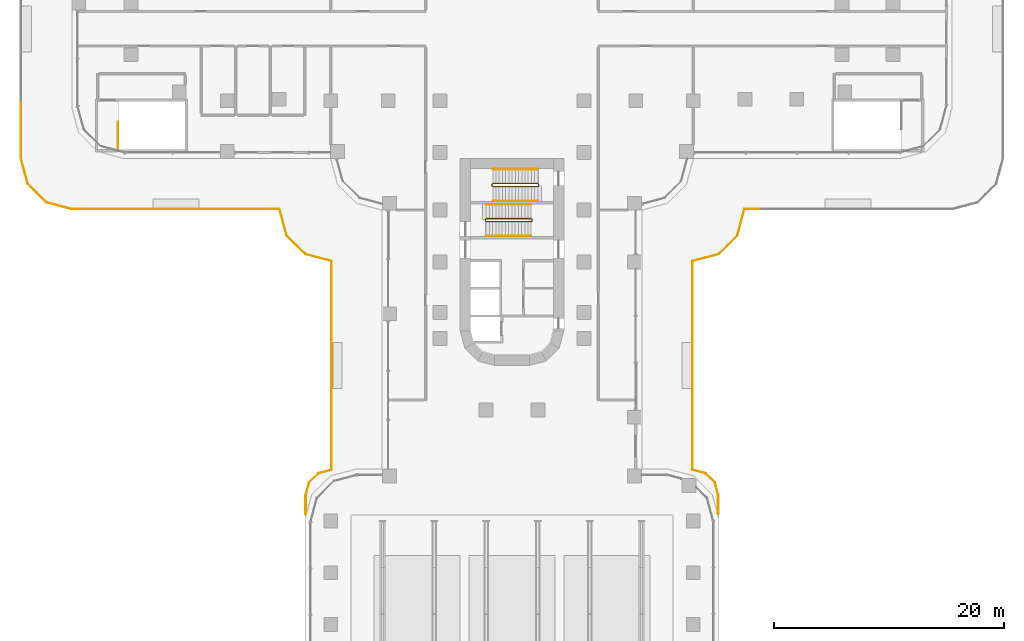
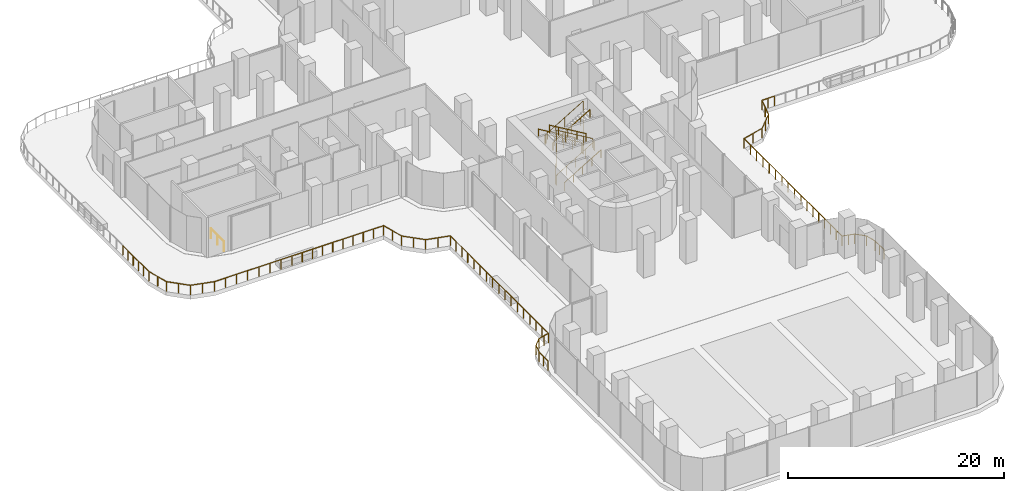
# One storey, part 18 of 21: 12 railings.
"""IFC4 building model written with IfcOpenShell, lengths in metres."""

from ifc_helpers import new_model, si_unit, direction, frame, origin, origin_2d, place, context, subcontext, project, spatial, circle, extrude, material, type_object, element, save


model = new_model("IFC4")

# Units and contexts
model_context = context("Model", 3, precision=1e-05, world=origin(), true_north=direction((0.0, 1.0)))
body_context = subcontext(model_context, "Body", "Model", "MODEL_VIEW")
ifc_project = project(units=[si_unit("LENGTHUNIT", "METRE"), si_unit("AREAUNIT", "SQUARE_METRE"), si_unit("VOLUMEUNIT", "CUBIC_METRE"), si_unit("PLANEANGLEUNIT", "RADIAN"), si_unit("MASSUNIT", "GRAM", prefix="KILO")], contexts=[model_context])

# Site, building, storey
site_placement = place(None, origin())
site = spatial("IfcSite", under=ifc_project, at=site_placement, CompositionType="ELEMENT")
building_placement = place(site_placement, origin())
building = spatial("IfcBuilding", under=site, at=building_placement, Name="Zarbagh Exchange Tower", CompositionType="ELEMENT")
storey_placement = place(building_placement, frame((0.0, 0.0, 22.0)))
storey = spatial("IfcBuildingStorey", under=building, at=storey_placement, Name="L04", CompositionType="ELEMENT", Elevation=22.0)

# Railings
ifc_material_1 = material(Name="Stainless steel", Category="steel")
railing_type_1 = type_object("IfcRailingType", Name="Stair guard 1100 mm", PredefinedType="GUARDRAIL", material=ifc_material_1)
railing_1_placement = place(storey_placement, frame((1.669921875, -16.5, 2.666748046875)))
element("IfcRailing", 1, at=railing_1_placement, inside=storey, type_object=railing_type_1, Name="ST3 stair guard 1", PredefinedType="GUARDRAIL", context=body_context, shape_type="SweptSolid", body=[
    extrude(circle(Radius=0.02392578125, at=origin_2d()), frame((0.0, 0.0, 1.076171875), z_axis=(-0.859296244711, 0.0, 0.511478214419), x_axis=(0.0, -1.0, 0.0)), (0.0, 0.0, 1.0), 4.561767578125),
    extrude(circle(Radius=0.02392578125, at=origin_2d()), frame((-3.919921875, 0.0, 3.4091796875), z_axis=(-0.010008762843, -0.010008762843, -0.999899819648), x_axis=(0.707106781187, -0.707106781187, 0.0)), (0.0, 0.0, 1.0), 5.00048828125),
    extrude(circle(Radius=0.02392578125, at=origin_2d()), frame((-3.969970703125, -0.050048828125, -1.5908203125), z_axis=(0.0, -1.0, 0.0), x_axis=(1.0, 0.0, 0.0)), (0.0, 0.0, 1.0), 0.14990234375),
    extrude(circle(Radius=0.02392578125, at=origin_2d()), frame((-3.969970703125, -0.199951171875, -1.5908203125), z_axis=(0.27628659633, -0.27628659633, 0.920506074601), x_axis=(0.707106781187, 0.707106781187, 0.0)), (0.0, 0.0, 1.0), 0.18115234375),
    extrude(circle(Radius=0.02392578125, at=origin_2d()), frame((-3.919921875, -0.25, -1.423828125), z_axis=(0.859296244711, 0.0, 0.511478214419), x_axis=(0.0, 1.0, 0.0)), (0.0, 0.0, 1.0), 4.561767578125),
    extrude(circle(Radius=0.02392578125, at=origin_2d()), frame((0.0, -0.25, 0.9091796875), z_axis=(0.707106781187, 0.707106781187, 0.0), x_axis=(-0.707106781187, 0.707106781187, 0.0)), (0.0, 0.0, 1.0), 0.07080078125),
    extrude(circle(Radius=0.02392578125, at=origin_2d()), frame((0.050048828125, -0.199951171875, 0.9091796875), z_axis=(0.0, 1.0, 0.0), x_axis=(-1.0, 0.0, 0.0)), (0.0, 0.0, 1.0), 0.14990234375),
    extrude(circle(Radius=0.02099609375, at=origin_2d()), origin(), (0.0, 0.0, 1.0), 1.052001953125),
    extrude(circle(Radius=0.02099609375, at=origin_2d()), frame((-0.97998046875, 0.0, 0.583251953125)), (0.0, 0.0, 1.0), 1.052001953125),
    extrude(circle(Radius=0.02099609375, at=origin_2d()), frame((-1.9599609375, 0.0, 1.16650390625)), (0.0, 0.0, 1.0), 1.052001953125),
    extrude(circle(Radius=0.02099609375, at=origin_2d()), frame((-2.93994140625, 0.0, 1.75)), (0.0, 0.0, 1.0), 1.052001953125),
    extrude(circle(Radius=0.02099609375, at=origin_2d()), frame((-3.919921875, 0.0, 2.333251953125)), (0.0, 0.0, 1.0), 1.052001953125),
    extrude(circle(Radius=0.02099609375, at=origin_2d()), frame((-3.929931640625, -0.010009765625, 1.333251953125)), (0.0, 0.0, 1.0), 1.052001953125),
    extrude(circle(Radius=0.02099609375, at=origin_2d()), frame((-3.93994140625, -0.02001953125, 0.333251953125)), (0.0, 0.0, 1.0), 1.052001953125),
    extrude(circle(Radius=0.02099609375, at=origin_2d()), frame((-3.949951171875, -0.030029296875, -0.666748046875)), (0.0, 0.0, 1.0), 1.052001953125),
    extrude(circle(Radius=0.02099609375, at=origin_2d()), frame((-3.9599609375, -0.0400390625, -1.666748046875)), (0.0, 0.0, 1.0), 1.052001953125),
    extrude(circle(Radius=0.02099609375, at=origin_2d()), frame((-3.969970703125, -0.050048828125, -2.666748046875)), (0.0, 0.0, 1.0), 1.052001953125),
    extrude(circle(Radius=0.02099609375, at=origin_2d()), frame((-3.969970703125, -0.199951171875, -2.666748046875)), (0.0, 0.0, 1.0), 1.052001953125),
    extrude(circle(Radius=0.02099609375, at=origin_2d()), frame((-3.919921875, -0.25, -2.5)), (0.0, 0.0, 1.0), 1.052001953125),
    extrude(circle(Radius=0.02099609375, at=origin_2d()), frame((-2.93994140625, -0.25, -1.916748046875)), (0.0, 0.0, 1.0), 1.052001953125),
    extrude(circle(Radius=0.02099609375, at=origin_2d()), frame((-1.9599609375, -0.25, -1.33349609375)), (0.0, 0.0, 1.0), 1.052001953125),
    extrude(circle(Radius=0.02099609375, at=origin_2d()), frame((-0.97998046875, -0.25, -0.75)), (0.0, 0.0, 1.0), 1.052001953125),
    extrude(circle(Radius=0.02099609375, at=origin_2d()), frame((0.0, -0.25, -0.166748046875)), (0.0, 0.0, 1.0), 1.052001953125),
    extrude(circle(Radius=0.02099609375, at=origin_2d()), frame((0.050048828125, -0.199951171875, -0.166748046875)), (0.0, 0.0, 1.0), 1.052001953125),
    extrude(circle(Radius=0.02099609375, at=origin_2d()), frame((0.050048828125, -0.050048828125, -0.166748046875)), (0.0, 0.0, 1.0), 1.052001953125),
])
railing_2_placement = place(storey_placement, frame((-1.719970703125, -13.5, 2.5)))
element("IfcRailing", 2, at=railing_2_placement, inside=storey, type_object=railing_type_1, Name="ST4 stair guard 1", PredefinedType="GUARDRAIL", context=body_context, shape_type="SweptSolid", body=[
    extrude(circle(Radius=0.02392578125, at=origin_2d()), frame((0.0, 0.0, 1.076171875), z_axis=(0.0, -1.0, 0.0), x_axis=(1.0, 0.0, 0.0)), (0.0, 0.0, 1.0), 0.14990234375),
    extrude(circle(Radius=0.02392578125, at=origin_2d()), frame((0.0, -0.14990234375, 1.076171875), z_axis=(0.27628659633, -0.27628659633, 0.920506074601), x_axis=(0.707106781187, 0.707106781187, 0.0)), (0.0, 0.0, 1.0), 0.18115234375),
    extrude(circle(Radius=0.02392578125, at=origin_2d()), frame((0.050048828125, -0.199951171875, 1.24267578125), z_axis=(0.859296244711, 0.0, 0.511478214419), x_axis=(0.0, 1.0, 0.0)), (0.0, 0.0, 1.0), 4.561767578125),
    extrude(circle(Radius=0.02392578125, at=origin_2d()), frame((3.969970703125, -0.199951171875, 3.576171875), z_axis=(0.010008762843, 0.010008762843, -0.999899819648), x_axis=(-0.707106781187, 0.707106781187, 0.0)), (0.0, 0.0, 1.0), 5.00048828125),
    extrude(circle(Radius=0.02392578125, at=origin_2d()), frame((4.02001953125, -0.14990234375, -1.423828125), z_axis=(0.0, 1.0, 0.0), x_axis=(-1.0, 0.0, 0.0)), (0.0, 0.0, 1.0), 0.14990234375),
    extrude(circle(Radius=0.02392578125, at=origin_2d()), frame((4.02001953125, 0.0, -1.423828125), z_axis=(-0.27628659633, 0.27628659633, 0.920506074601), x_axis=(-0.707106781187, -0.707106781187, 0.0)), (0.0, 0.0, 1.0), 0.18115234375),
    extrude(circle(Radius=0.02392578125, at=origin_2d()), frame((3.969970703125, 0.050048828125, -1.25732421875), z_axis=(-0.859296244711, 0.0, 0.511478214419), x_axis=(0.0, -1.0, 0.0)), (0.0, 0.0, 1.0), 4.561767578125),
    extrude(circle(Radius=0.02099609375, at=origin_2d()), origin(), (0.0, 0.0, 1.0), 1.052001953125),
    extrude(circle(Radius=0.02099609375, at=origin_2d()), frame((0.0, -0.14990234375, 0.0)), (0.0, 0.0, 1.0), 1.052001953125),
    extrude(circle(Radius=0.02099609375, at=origin_2d()), frame((0.050048828125, -0.199951171875, 0.166748046875)), (0.0, 0.0, 1.0), 1.052001953125),
    extrude(circle(Radius=0.02099609375, at=origin_2d()), frame((1.030029296875, -0.199951171875, 0.75)), (0.0, 0.0, 1.0), 1.052001953125),
    extrude(circle(Radius=0.02099609375, at=origin_2d()), frame((2.010009765625, -0.199951171875, 1.33349609375)), (0.0, 0.0, 1.0), 1.052001953125),
    extrude(circle(Radius=0.02099609375, at=origin_2d()), frame((2.989990234375, -0.199951171875, 1.916748046875)), (0.0, 0.0, 1.0), 1.052001953125),
    extrude(circle(Radius=0.02099609375, at=origin_2d()), frame((3.969970703125, -0.199951171875, 2.5)), (0.0, 0.0, 1.0), 1.052001953125),
    extrude(circle(Radius=0.02099609375, at=origin_2d()), frame((3.97998046875, -0.18994140625, 1.5)), (0.0, 0.0, 1.0), 1.052001953125),
    extrude(circle(Radius=0.02099609375, at=origin_2d()), frame((3.989990234375, -0.179931640625, 0.5)), (0.0, 0.0, 1.0), 1.052001953125),
    extrude(circle(Radius=0.02099609375, at=origin_2d()), frame((4.0, -0.169921875, -0.5)), (0.0, 0.0, 1.0), 1.052001953125),
    extrude(circle(Radius=0.02099609375, at=origin_2d()), frame((4.010009765625, -0.159912109375, -1.5)), (0.0, 0.0, 1.0), 1.052001953125),
    extrude(circle(Radius=0.02099609375, at=origin_2d()), frame((4.02001953125, -0.14990234375, -2.5)), (0.0, 0.0, 1.0), 1.052001953125),
    extrude(circle(Radius=0.02099609375, at=origin_2d()), frame((4.02001953125, 0.0, -2.5)), (0.0, 0.0, 1.0), 1.052001953125),
    extrude(circle(Radius=0.02099609375, at=origin_2d()), frame((3.969970703125, 0.050048828125, -2.333251953125)), (0.0, 0.0, 1.0), 1.052001953125),
    extrude(circle(Radius=0.02099609375, at=origin_2d()), frame((2.989990234375, 0.050048828125, -1.75)), (0.0, 0.0, 1.0), 1.052001953125),
    extrude(circle(Radius=0.02099609375, at=origin_2d()), frame((2.010009765625, 0.050048828125, -1.16650390625)), (0.0, 0.0, 1.0), 1.052001953125),
    extrude(circle(Radius=0.02099609375, at=origin_2d()), frame((1.030029296875, 0.050048828125, -0.583251953125)), (0.0, 0.0, 1.0), 1.052001953125),
    extrude(circle(Radius=0.02099609375, at=origin_2d()), frame((0.050048828125, 0.050048828125, 0.0)), (0.0, 0.0, 1.0), 1.052001953125),
])
railing_3_placement = place(storey_placement, frame((-34.25, -10.5, 0.0)))
element("IfcRailing", 3, at=railing_3_placement, inside=storey, type_object=railing_type_1, Name="PS4 top well guard 1", PredefinedType="GUARDRAIL", context=body_context, shape_type="SweptSolid", body=[
    extrude(circle(Radius=0.02392578125, at=origin_2d()), frame((0.0, 0.0, 1.076171875), z_axis=(0.0, 1.0, 0.0), x_axis=(-1.0, 0.0, 0.0)), (0.0, 0.0, 1.0), 2.39990234375),
    extrude(circle(Radius=0.02099609375, at=origin_2d()), origin(), (0.0, 0.0, 1.0), 1.052001953125),
    extrude(circle(Radius=0.02099609375, at=origin_2d()), frame((0.0, 1.199951171875, 0.0)), (0.0, 0.0, 1.0), 1.052001953125),
    extrude(circle(Radius=0.02099609375, at=origin_2d()), frame((0.0, 2.39990234375, 0.0)), (0.0, 0.0, 1.0), 1.052001953125),
])
railing_type_2 = type_object("IfcRailingType", Name="Stair handrail 900 mm", PredefinedType="HANDRAIL", material=ifc_material_1)
railing_4_placement = place(storey_placement, frame((-2.25, -18.0, 0.166748046875)))
element("IfcRailing", 4, at=railing_4_placement, inside=storey, type_object=railing_type_2, Name="ST3 stair handrail 1", PredefinedType="HANDRAIL", context=body_context, shape_type="SweptSolid", body=[
    extrude(circle(Radius=0.02392578125, at=origin_2d()), frame((0.0, 0.0, 0.8759765625), z_axis=(0.859296244711, 0.0, 0.511478214419), x_axis=(0.0, 1.0, 0.0)), (0.0, 0.0, 1.0), 4.561767578125),
    extrude(circle(Radius=0.02099609375, at=origin_2d()), origin(), (0.0, 0.0, 1.0), 0.851806640625),
    extrude(circle(Radius=0.02099609375, at=origin_2d()), frame((0.97998046875, 0.0, 0.583251953125)), (0.0, 0.0, 1.0), 0.851806640625),
    extrude(circle(Radius=0.02099609375, at=origin_2d()), frame((1.9599609375, 0.0, 1.16650390625)), (0.0, 0.0, 1.0), 0.851806640625),
    extrude(circle(Radius=0.02099609375, at=origin_2d()), frame((2.93994140625, 0.0, 1.75)), (0.0, 0.0, 1.0), 0.851806640625),
    extrude(circle(Radius=0.02099609375, at=origin_2d()), frame((3.919921875, 0.0, 2.333251953125)), (0.0, 0.0, 1.0), 0.851806640625),
])
for number, where, name in (
    (5, (1.669921875, -15.25, 2.666748046875), "ST3 stair handrail 2"),
    (6, (2.25, -12.199951171875, 0.166748046875), "ST4 stair handrail 1"),
):
    element("IfcRailing", number, at=place(storey_placement, frame(where)), inside=storey, type_object=railing_type_2, Name=name, PredefinedType="HANDRAIL", context=body_context, shape_type="SweptSolid", body=[
        extrude(circle(Radius=0.02392578125, at=origin_2d()), frame((0.0, 0.0, 0.8759765625), z_axis=(-0.859296244711, 0.0, 0.511478214419), x_axis=(0.0, -1.0, 0.0)), (0.0, 0.0, 1.0), 4.561767578125),
        extrude(circle(Radius=0.02099609375, at=origin_2d()), origin(), (0.0, 0.0, 1.0), 0.851806640625),
        extrude(circle(Radius=0.02099609375, at=origin_2d()), frame((-0.97998046875, 0.0, 0.583251953125)), (0.0, 0.0, 1.0), 0.851806640625),
        extrude(circle(Radius=0.02099609375, at=origin_2d()), frame((-1.9599609375, 0.0, 1.16650390625)), (0.0, 0.0, 1.0), 0.851806640625),
        extrude(circle(Radius=0.02099609375, at=origin_2d()), frame((-2.93994140625, 0.0, 1.75)), (0.0, 0.0, 1.0), 0.851806640625),
        extrude(circle(Radius=0.02099609375, at=origin_2d()), frame((-3.919921875, 0.0, 2.333251953125)), (0.0, 0.0, 1.0), 0.851806640625),
    ])
railing_5_placement = place(storey_placement, frame((-1.669921875, -14.949951171875, 2.666748046875)))
element("IfcRailing", 7, at=railing_5_placement, inside=storey, type_object=railing_type_2, Name="ST4 stair handrail 2", PredefinedType="HANDRAIL", context=body_context, shape_type="SweptSolid", body=[
    extrude(circle(Radius=0.02392578125, at=origin_2d()), frame((0.0, 0.0, 0.8759765625), z_axis=(0.859296244711, 0.0, 0.511478214419), x_axis=(0.0, 1.0, 0.0)), (0.0, 0.0, 1.0), 4.561767578125),
    extrude(circle(Radius=0.02099609375, at=origin_2d()), origin(), (0.0, 0.0, 1.0), 0.851806640625),
    extrude(circle(Radius=0.02099609375, at=origin_2d()), frame((0.97998046875, 0.0, 0.583251953125)), (0.0, 0.0, 1.0), 0.851806640625),
    extrude(circle(Radius=0.02099609375, at=origin_2d()), frame((1.9599609375, 0.0, 1.16650390625)), (0.0, 0.0, 1.0), 0.851806640625),
    extrude(circle(Radius=0.02099609375, at=origin_2d()), frame((2.93994140625, 0.0, 1.75)), (0.0, 0.0, 1.0), 0.851806640625),
    extrude(circle(Radius=0.02099609375, at=origin_2d()), frame((3.919921875, 0.0, 2.333251953125)), (0.0, 0.0, 1.0), 0.851806640625),
])
ifc_material_2 = material(Name="Stainless steel and laminated glass", Category="steel")
railing_type_3 = type_object("IfcRailingType", Name="Terrace guard, glass balustrade 1.1 m", PredefinedType="GUARDRAIL", material=ifc_material_2)
railing_6_placement = place(storey_placement, frame((-17.919921875, -42.142333984375, 0.0)))
element("IfcRailing", 8, at=railing_6_placement, inside=storey, type_object=railing_type_3, Name="TG01 terrace guard", PredefinedType="GUARDRAIL", context=body_context, shape_type="SweptSolid", body=[
    extrude(circle(Radius=0.02490234375, at=origin_2d()), frame((0.0, 0.0, 1.0751953125), z_axis=(0.0, 1.0, 0.0), x_axis=(-1.0, 0.0, 0.0)), (0.0, 0.0, 1.0), 1.6318359375),
    extrude(circle(Radius=0.02490234375, at=origin_2d()), frame((0.0, 1.6318359375, 1.0751953125), z_axis=(0.258682208729, 0.965962481097, 0.0), x_axis=(-0.965962481097, 0.258682208729, 0.0)), (0.0, 0.0, 1.0), 1.132568359375),
    extrude(circle(Radius=0.02490234375, at=origin_2d()), frame((0.29296875, 2.725830078125, 1.0751953125), z_axis=(0.707106781187, 0.707106781187, 0.0), x_axis=(-0.707106781187, 0.707106781187, 0.0)), (0.0, 0.0, 1.0), 1.1220703125),
    extrude(circle(Radius=0.02490234375, at=origin_2d()), frame((1.08642578125, 3.519287109375, 1.0751953125), z_axis=(0.965928149419, 0.258810374907, 0.0), x_axis=(-0.258810374907, 0.965928149419, 0.0)), (0.0, 0.0, 1.0), 1.20458984375),
    extrude(circle(Radius=0.02490234375, at=origin_2d()), frame((2.25, 3.8310546875, 1.0751953125), z_axis=(0.0, 1.0, 0.0), x_axis=(-1.0, 0.0, 0.0)), (0.0, 0.0, 1.0), 14.908935546875),
    extrude(circle(Radius=0.02490234375, at=origin_2d()), origin(), (0.0, 0.0, 1.0), 1.050048828125),
    extrude(circle(Radius=0.02490234375, at=origin_2d()), frame((0.0, 0.81591796875, 0.0)), (0.0, 0.0, 1.0), 1.050048828125),
    extrude(circle(Radius=0.02490234375, at=origin_2d()), frame((0.0, 1.6318359375, 0.0)), (0.0, 0.0, 1.0), 1.050048828125),
    extrude(circle(Radius=0.02490234375, at=origin_2d()), frame((0.29296875, 2.725830078125, 0.0)), (0.0, 0.0, 1.0), 1.050048828125),
    extrude(circle(Radius=0.02490234375, at=origin_2d()), frame((1.08642578125, 3.519287109375, 0.0)), (0.0, 0.0, 1.0), 1.050048828125),
    extrude(circle(Radius=0.02490234375, at=origin_2d()), frame((1.668212890625, 3.67529296875, 0.0)), (0.0, 0.0, 1.0), 1.050048828125),
    extrude(circle(Radius=0.02490234375, at=origin_2d()), frame((2.25, 3.8310546875, 0.0)), (0.0, 0.0, 1.0), 1.050048828125),
    extrude(circle(Radius=0.02490234375, at=origin_2d()), frame((2.25, 4.977783203125, 0.0)), (0.0, 0.0, 1.0), 1.050048828125),
    extrude(circle(Radius=0.02490234375, at=origin_2d()), frame((2.25, 6.124755859375, 0.0)), (0.0, 0.0, 1.0), 1.050048828125),
    extrude(circle(Radius=0.02490234375, at=origin_2d()), frame((2.25, 7.271484375, 0.0)), (0.0, 0.0, 1.0), 1.050048828125),
    extrude(circle(Radius=0.02490234375, at=origin_2d()), frame((2.25, 8.41845703125, 0.0)), (0.0, 0.0, 1.0), 1.050048828125),
    extrude(circle(Radius=0.02490234375, at=origin_2d()), frame((2.25, 9.565185546875, 0.0)), (0.0, 0.0, 1.0), 1.050048828125),
    extrude(circle(Radius=0.02490234375, at=origin_2d()), frame((2.25, 10.712158203125, 0.0)), (0.0, 0.0, 1.0), 1.050048828125),
    extrude(circle(Radius=0.02490234375, at=origin_2d()), frame((2.25, 11.85888671875, 0.0)), (0.0, 0.0, 1.0), 1.050048828125),
    extrude(circle(Radius=0.02490234375, at=origin_2d()), frame((2.25, 13.005859375, 0.0)), (0.0, 0.0, 1.0), 1.050048828125),
    extrude(circle(Radius=0.02490234375, at=origin_2d()), frame((2.25, 14.152587890625, 0.0)), (0.0, 0.0, 1.0), 1.050048828125),
    extrude(circle(Radius=0.02490234375, at=origin_2d()), frame((2.25, 15.299560546875, 0.0)), (0.0, 0.0, 1.0), 1.050048828125),
    extrude(circle(Radius=0.02490234375, at=origin_2d()), frame((2.25, 16.4462890625, 0.0)), (0.0, 0.0, 1.0), 1.050048828125),
    extrude(circle(Radius=0.02490234375, at=origin_2d()), frame((2.25, 17.59326171875, 0.0)), (0.0, 0.0, 1.0), 1.050048828125),
    extrude(circle(Radius=0.02490234375, at=origin_2d()), frame((2.25, 18.739990234375, 0.0)), (0.0, 0.0, 1.0), 1.050048828125),
])
railing_7_placement = place(storey_placement, frame((-15.669921875, -23.40234375, 0.0)))
element("IfcRailing", 9, at=railing_7_placement, inside=storey, type_object=railing_type_3, Name="TG01 terrace guard", PredefinedType="GUARDRAIL", context=body_context, shape_type="SweptSolid", body=[
    extrude(circle(Radius=0.02490234375, at=origin_2d()), frame((0.0, 0.0, 1.0751953125), z_axis=(0.0, 1.0, 0.0), x_axis=(-1.0, 0.0, 0.0)), (0.0, 0.0, 1.0), 3.213623046875),
    extrude(circle(Radius=0.02490234375, at=origin_2d()), frame((0.0, 3.213623046875, 1.0751953125), z_axis=(-0.965919533457, 0.258842529128, 0.0), x_axis=(-0.258842529128, -0.965919533457, 0.0)), (0.0, 0.0, 1.0), 2.369384765625),
    extrude(circle(Radius=0.02490234375, at=origin_2d()), frame((-2.28857421875, 3.826904296875, 1.0751953125), z_axis=(-0.707106781187, 0.707106781187, 0.0), x_axis=(-0.707106781187, -0.707106781187, 0.0)), (0.0, 0.0, 1.0), 2.28662109375),
    extrude(circle(Radius=0.02490234375, at=origin_2d()), frame((-3.905517578125, 5.44384765625, 1.0751953125), z_axis=(-0.258842529128, 0.965919533457, 0.0), x_axis=(-0.965919533457, -0.258842529128, 0.0)), (0.0, 0.0, 1.0), 2.369384765625),
    extrude(circle(Radius=0.02490234375, at=origin_2d()), frame((-4.518798828125, 7.732421875, 1.0751953125), z_axis=(-1.0, 0.0, 0.0), x_axis=(0.0, -1.0, 0.0)), (0.0, 0.0, 1.0), 9.760986328125),
    extrude(circle(Radius=0.02490234375, at=origin_2d()), origin(), (0.0, 0.0, 1.0), 1.050048828125),
    extrude(circle(Radius=0.02490234375, at=origin_2d()), frame((0.0, 1.0712890625, 0.0)), (0.0, 0.0, 1.0), 1.050048828125),
    extrude(circle(Radius=0.02490234375, at=origin_2d()), frame((0.0, 2.142333984375, 0.0)), (0.0, 0.0, 1.0), 1.050048828125),
    extrude(circle(Radius=0.02490234375, at=origin_2d()), frame((0.0, 3.213623046875, 0.0)), (0.0, 0.0, 1.0), 1.050048828125),
    extrude(circle(Radius=0.02490234375, at=origin_2d()), frame((-1.144287109375, 3.520263671875, 0.0)), (0.0, 0.0, 1.0), 1.050048828125),
    extrude(circle(Radius=0.02490234375, at=origin_2d()), frame((-2.28857421875, 3.826904296875, 0.0)), (0.0, 0.0, 1.0), 1.050048828125),
    extrude(circle(Radius=0.02490234375, at=origin_2d()), frame((-3.09716796875, 4.63525390625, 0.0)), (0.0, 0.0, 1.0), 1.050048828125),
    extrude(circle(Radius=0.02490234375, at=origin_2d()), frame((-3.905517578125, 5.44384765625, 0.0)), (0.0, 0.0, 1.0), 1.050048828125),
    extrude(circle(Radius=0.02490234375, at=origin_2d()), frame((-4.212158203125, 6.588134765625, 0.0)), (0.0, 0.0, 1.0), 1.050048828125),
    extrude(circle(Radius=0.02490234375, at=origin_2d()), frame((-4.518798828125, 7.732421875, 0.0)), (0.0, 0.0, 1.0), 1.050048828125),
    extrude(circle(Radius=0.02490234375, at=origin_2d()), frame((-5.603271484375, 7.732421875, 0.0)), (0.0, 0.0, 1.0), 1.050048828125),
    extrude(circle(Radius=0.02490234375, at=origin_2d()), frame((-6.68798828125, 7.732421875, 0.0)), (0.0, 0.0, 1.0), 1.050048828125),
    extrude(circle(Radius=0.02490234375, at=origin_2d()), frame((-7.7724609375, 7.732421875, 0.0)), (0.0, 0.0, 1.0), 1.050048828125),
    extrude(circle(Radius=0.02490234375, at=origin_2d()), frame((-8.85693359375, 7.732421875, 0.0)), (0.0, 0.0, 1.0), 1.050048828125),
    extrude(circle(Radius=0.02490234375, at=origin_2d()), frame((-9.941650390625, 7.732421875, 0.0)), (0.0, 0.0, 1.0), 1.050048828125),
    extrude(circle(Radius=0.02490234375, at=origin_2d()), frame((-11.026123046875, 7.732421875, 0.0)), (0.0, 0.0, 1.0), 1.050048828125),
    extrude(circle(Radius=0.02490234375, at=origin_2d()), frame((-12.110595703125, 7.732421875, 0.0)), (0.0, 0.0, 1.0), 1.050048828125),
    extrude(circle(Radius=0.02490234375, at=origin_2d()), frame((-13.1953125, 7.732421875, 0.0)), (0.0, 0.0, 1.0), 1.050048828125),
    extrude(circle(Radius=0.02490234375, at=origin_2d()), frame((-14.27978515625, 7.732421875, 0.0)), (0.0, 0.0, 1.0), 1.050048828125),
])
railing_8_placement = place(storey_placement, frame((-29.94970703125, -15.669921875, 0.0)))
element("IfcRailing", 10, at=railing_8_placement, inside=storey, type_object=railing_type_3, Name="TG01 terrace guard", PredefinedType="GUARDRAIL", context=body_context, shape_type="SweptSolid", body=[
    extrude(circle(Radius=0.02490234375, at=origin_2d()), frame((0.0, 0.0, 1.0751953125), z_axis=(-1.0, 0.0, 0.0), x_axis=(0.0, -1.0, 0.0)), (0.0, 0.0, 1.0), 8.289794921875),
    extrude(circle(Radius=0.02490234375, at=origin_2d()), frame((-8.289794921875, 0.0, 1.0751953125), z_axis=(-0.965936192935, 0.258780353152, 0.0), x_axis=(-0.258780353152, -0.965936192935, 0.0)), (0.0, 0.0, 1.0), 2.29736328125),
    extrude(circle(Radius=0.02490234375, at=origin_2d()), frame((-10.5087890625, 0.594482421875, 1.0751953125), z_axis=(-0.707106781187, 0.707106781187, 0.0), x_axis=(-0.707106781187, -0.707106781187, 0.0)), (0.0, 0.0, 1.0), 2.28662109375),
    extrude(circle(Radius=0.02490234375, at=origin_2d()), frame((-12.125732421875, 2.21142578125, 1.0751953125), z_axis=(-0.258780353152, 0.965936192935, 0.0), x_axis=(-0.965936192935, -0.258780353152, 0.0)), (0.0, 0.0, 1.0), 2.29736328125),
    extrude(circle(Radius=0.02490234375, at=origin_2d()), frame((-12.72021484375, 4.430419921875, 1.0751953125), z_axis=(0.0, 1.0, 0.0), x_axis=(-1.0, 0.0, 0.0)), (0.0, 0.0, 1.0), 4.8291015625),
    extrude(circle(Radius=0.02490234375, at=origin_2d()), origin(), (0.0, 0.0, 1.0), 1.050048828125),
    extrude(circle(Radius=0.02490234375, at=origin_2d()), frame((-1.184326171875, 0.0, 0.0)), (0.0, 0.0, 1.0), 1.050048828125),
    extrude(circle(Radius=0.02490234375, at=origin_2d()), frame((-2.368408203125, 0.0, 0.0)), (0.0, 0.0, 1.0), 1.050048828125),
    extrude(circle(Radius=0.02490234375, at=origin_2d()), frame((-3.552734375, 0.0, 0.0)), (0.0, 0.0, 1.0), 1.050048828125),
    extrude(circle(Radius=0.02490234375, at=origin_2d()), frame((-4.737060546875, 0.0, 0.0)), (0.0, 0.0, 1.0), 1.050048828125),
    extrude(circle(Radius=0.02490234375, at=origin_2d()), frame((-5.92138671875, 0.0, 0.0)), (0.0, 0.0, 1.0), 1.050048828125),
    extrude(circle(Radius=0.02490234375, at=origin_2d()), frame((-7.10546875, 0.0, 0.0)), (0.0, 0.0, 1.0), 1.050048828125),
    extrude(circle(Radius=0.02490234375, at=origin_2d()), frame((-8.289794921875, 0.0, 0.0)), (0.0, 0.0, 1.0), 1.050048828125),
    extrude(circle(Radius=0.02490234375, at=origin_2d()), frame((-9.3994140625, 0.29736328125, 0.0)), (0.0, 0.0, 1.0), 1.050048828125),
    extrude(circle(Radius=0.02490234375, at=origin_2d()), frame((-10.5087890625, 0.594482421875, 0.0)), (0.0, 0.0, 1.0), 1.050048828125),
    extrude(circle(Radius=0.02490234375, at=origin_2d()), frame((-11.3173828125, 1.40283203125, 0.0)), (0.0, 0.0, 1.0), 1.050048828125),
    extrude(circle(Radius=0.02490234375, at=origin_2d()), frame((-12.125732421875, 2.21142578125, 0.0)), (0.0, 0.0, 1.0), 1.050048828125),
    extrude(circle(Radius=0.02490234375, at=origin_2d()), frame((-12.4228515625, 3.32080078125, 0.0)), (0.0, 0.0, 1.0), 1.050048828125),
    extrude(circle(Radius=0.02490234375, at=origin_2d()), frame((-12.72021484375, 4.430419921875, 0.0)), (0.0, 0.0, 1.0), 1.050048828125),
    extrude(circle(Radius=0.02490234375, at=origin_2d()), frame((-12.72021484375, 5.396240234375, 0.0)), (0.0, 0.0, 1.0), 1.050048828125),
    extrude(circle(Radius=0.02490234375, at=origin_2d()), frame((-12.72021484375, 6.362060546875, 0.0)), (0.0, 0.0, 1.0), 1.050048828125),
    extrude(circle(Radius=0.02490234375, at=origin_2d()), frame((-12.72021484375, 7.327880859375, 0.0)), (0.0, 0.0, 1.0), 1.050048828125),
    extrude(circle(Radius=0.02490234375, at=origin_2d()), frame((-12.72021484375, 8.293701171875, 0.0)), (0.0, 0.0, 1.0), 1.050048828125),
    extrude(circle(Radius=0.02490234375, at=origin_2d()), frame((-12.72021484375, 9.259521484375, 0.0)), (0.0, 0.0, 1.0), 1.050048828125),
])
railing_9_placement = place(storey_placement, frame((21.507568359375, -15.669921875, 0.0)))
element("IfcRailing", 11, at=railing_9_placement, inside=storey, type_object=railing_type_3, Name="TG01 terrace guard", PredefinedType="GUARDRAIL", context=body_context, shape_type="SweptSolid", body=[
    extrude(circle(Radius=0.02490234375, at=origin_2d()), frame((0.0, 0.0, 1.0751953125), z_axis=(-1.0, 0.0, 0.0), x_axis=(0.0, -1.0, 0.0)), (0.0, 0.0, 1.0), 1.31884765625),
    extrude(circle(Radius=0.02490234375, at=origin_2d()), frame((-1.31884765625, 0.0, 1.0751953125), z_axis=(-0.258842529128, -0.965919533457, 0.0), x_axis=(0.965919533457, -0.258842529128, 0.0)), (0.0, 0.0, 1.0), 2.369384765625),
    extrude(circle(Radius=0.02490234375, at=origin_2d()), frame((-1.93212890625, -2.28857421875, 1.0751953125), z_axis=(-0.707106781187, -0.707106781187, 0.0), x_axis=(0.707106781187, -0.707106781187, 0.0)), (0.0, 0.0, 1.0), 2.28662109375),
    extrude(circle(Radius=0.02490234375, at=origin_2d()), frame((-3.549072265625, -3.905517578125, 1.0751953125), z_axis=(-0.965919533457, -0.258842529128, 0.0), x_axis=(0.258842529128, -0.965919533457, 0.0)), (0.0, 0.0, 1.0), 2.369384765625),
    extrude(circle(Radius=0.02490234375, at=origin_2d()), frame((-5.837646484375, -4.518798828125, 1.0751953125), z_axis=(0.0, -1.0, 0.0), x_axis=(1.0, 0.0, 0.0)), (0.0, 0.0, 1.0), 11.65576171875),
    extrude(circle(Radius=0.02490234375, at=origin_2d()), origin(), (0.0, 0.0, 1.0), 1.050048828125),
    extrude(circle(Radius=0.02490234375, at=origin_2d()), frame((-0.659423828125, 0.0, 0.0)), (0.0, 0.0, 1.0), 1.050048828125),
    extrude(circle(Radius=0.02490234375, at=origin_2d()), frame((-1.31884765625, 0.0, 0.0)), (0.0, 0.0, 1.0), 1.050048828125),
    extrude(circle(Radius=0.02490234375, at=origin_2d()), frame((-1.62548828125, -1.144287109375, 0.0)), (0.0, 0.0, 1.0), 1.050048828125),
    extrude(circle(Radius=0.02490234375, at=origin_2d()), frame((-1.93212890625, -2.28857421875, 0.0)), (0.0, 0.0, 1.0), 1.050048828125),
    extrude(circle(Radius=0.02490234375, at=origin_2d()), frame((-2.74072265625, -3.09716796875, 0.0)), (0.0, 0.0, 1.0), 1.050048828125),
    extrude(circle(Radius=0.02490234375, at=origin_2d()), frame((-3.549072265625, -3.905517578125, 0.0)), (0.0, 0.0, 1.0), 1.050048828125),
    extrude(circle(Radius=0.02490234375, at=origin_2d()), frame((-4.693359375, -4.212158203125, 0.0)), (0.0, 0.0, 1.0), 1.050048828125),
    extrude(circle(Radius=0.02490234375, at=origin_2d()), frame((-5.837646484375, -4.518798828125, 0.0)), (0.0, 0.0, 1.0), 1.050048828125),
    extrude(circle(Radius=0.02490234375, at=origin_2d()), frame((-5.837646484375, -5.684326171875, 0.0)), (0.0, 0.0, 1.0), 1.050048828125),
    extrude(circle(Radius=0.02490234375, at=origin_2d()), frame((-5.837646484375, -6.849853515625, 0.0)), (0.0, 0.0, 1.0), 1.050048828125),
    extrude(circle(Radius=0.02490234375, at=origin_2d()), frame((-5.837646484375, -8.015625, 0.0)), (0.0, 0.0, 1.0), 1.050048828125),
    extrude(circle(Radius=0.02490234375, at=origin_2d()), frame((-5.837646484375, -9.18115234375, 0.0)), (0.0, 0.0, 1.0), 1.050048828125),
    extrude(circle(Radius=0.02490234375, at=origin_2d()), frame((-5.837646484375, -10.3466796875, 0.0)), (0.0, 0.0, 1.0), 1.050048828125),
    extrude(circle(Radius=0.02490234375, at=origin_2d()), frame((-5.837646484375, -11.51220703125, 0.0)), (0.0, 0.0, 1.0), 1.050048828125),
    extrude(circle(Radius=0.02490234375, at=origin_2d()), frame((-5.837646484375, -12.677734375, 0.0)), (0.0, 0.0, 1.0), 1.050048828125),
    extrude(circle(Radius=0.02490234375, at=origin_2d()), frame((-5.837646484375, -13.843505859375, 0.0)), (0.0, 0.0, 1.0), 1.050048828125),
    extrude(circle(Radius=0.02490234375, at=origin_2d()), frame((-5.837646484375, -15.009033203125, 0.0)), (0.0, 0.0, 1.0), 1.050048828125),
    extrude(circle(Radius=0.02490234375, at=origin_2d()), frame((-5.837646484375, -16.174560546875, 0.0)), (0.0, 0.0, 1.0), 1.050048828125),
])
railing_10_placement = place(storey_placement, frame((15.669921875, -31.844482421875, 0.0)))
element("IfcRailing", 12, at=railing_10_placement, inside=storey, type_object=railing_type_3, Name="TG01 terrace guard", PredefinedType="GUARDRAIL", context=body_context, shape_type="SweptSolid", body=[
    extrude(circle(Radius=0.02490234375, at=origin_2d()), frame((0.0, 0.0, 1.0751953125), z_axis=(0.0, -1.0, 0.0), x_axis=(1.0, 0.0, 0.0)), (0.0, 0.0, 1.0), 6.466796875),
    extrude(circle(Radius=0.02490234375, at=origin_2d()), frame((0.0, -6.466796875, 1.0751953125), z_axis=(0.965928149419, -0.258810374907, 0.0), x_axis=(0.258810374907, 0.965928149419, 0.0)), (0.0, 0.0, 1.0), 1.20458984375),
    extrude(circle(Radius=0.02490234375, at=origin_2d()), frame((1.16357421875, -6.778564453125, 1.0751953125), z_axis=(0.707106781187, -0.707106781187, 0.0), x_axis=(0.707106781187, 0.707106781187, 0.0)), (0.0, 0.0, 1.0), 1.1220703125),
    extrude(circle(Radius=0.02490234375, at=origin_2d()), frame((1.95703125, -7.572021484375, 1.0751953125), z_axis=(0.258682208729, -0.965962481097, 0.0), x_axis=(0.965962481097, 0.258682208729, 0.0)), (0.0, 0.0, 1.0), 1.132568359375),
    extrude(circle(Radius=0.02490234375, at=origin_2d()), frame((2.25, -8.666015625, 1.0751953125), z_axis=(0.0, -1.0, 0.0), x_axis=(1.0, 0.0, 0.0)), (0.0, 0.0, 1.0), 1.6318359375),
    extrude(circle(Radius=0.02490234375, at=origin_2d()), origin(), (0.0, 0.0, 1.0), 1.050048828125),
    extrude(circle(Radius=0.02490234375, at=origin_2d()), frame((0.0, -1.077880859375, 0.0)), (0.0, 0.0, 1.0), 1.050048828125),
    extrude(circle(Radius=0.02490234375, at=origin_2d()), frame((0.0, -2.155517578125, 0.0)), (0.0, 0.0, 1.0), 1.050048828125),
    extrude(circle(Radius=0.02490234375, at=origin_2d()), frame((0.0, -3.2333984375, 0.0)), (0.0, 0.0, 1.0), 1.050048828125),
    extrude(circle(Radius=0.02490234375, at=origin_2d()), frame((0.0, -4.311279296875, 0.0)), (0.0, 0.0, 1.0), 1.050048828125),
    extrude(circle(Radius=0.02490234375, at=origin_2d()), frame((0.0, -5.388916015625, 0.0)), (0.0, 0.0, 1.0), 1.050048828125),
    extrude(circle(Radius=0.02490234375, at=origin_2d()), frame((0.0, -6.466796875, 0.0)), (0.0, 0.0, 1.0), 1.050048828125),
    extrude(circle(Radius=0.02490234375, at=origin_2d()), frame((0.581787109375, -6.62255859375, 0.0)), (0.0, 0.0, 1.0), 1.050048828125),
    extrude(circle(Radius=0.02490234375, at=origin_2d()), frame((1.16357421875, -6.778564453125, 0.0)), (0.0, 0.0, 1.0), 1.050048828125),
    extrude(circle(Radius=0.02490234375, at=origin_2d()), frame((1.95703125, -7.572021484375, 0.0)), (0.0, 0.0, 1.0), 1.050048828125),
    extrude(circle(Radius=0.02490234375, at=origin_2d()), frame((2.25, -8.666015625, 0.0)), (0.0, 0.0, 1.0), 1.050048828125),
    extrude(circle(Radius=0.02490234375, at=origin_2d()), frame((2.25, -9.48193359375, 0.0)), (0.0, 0.0, 1.0), 1.050048828125),
    extrude(circle(Radius=0.02490234375, at=origin_2d()), frame((2.25, -10.2978515625, 0.0)), (0.0, 0.0, 1.0), 1.050048828125),
])

save(model, "model.ifc")
